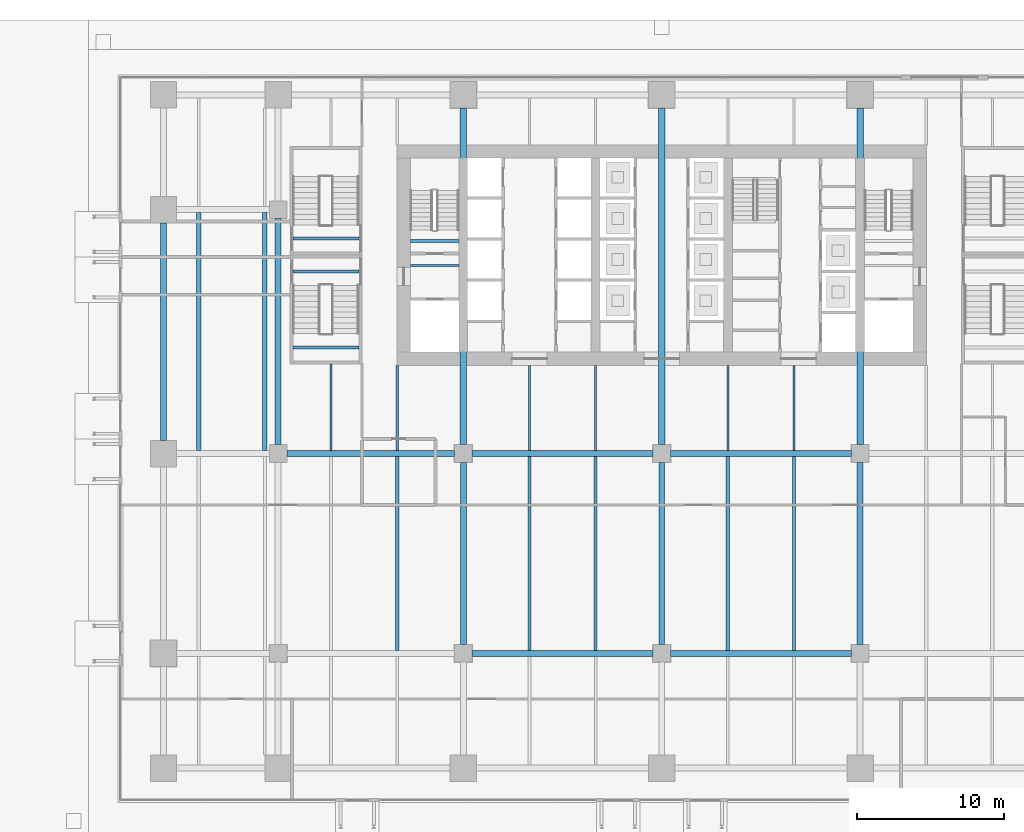
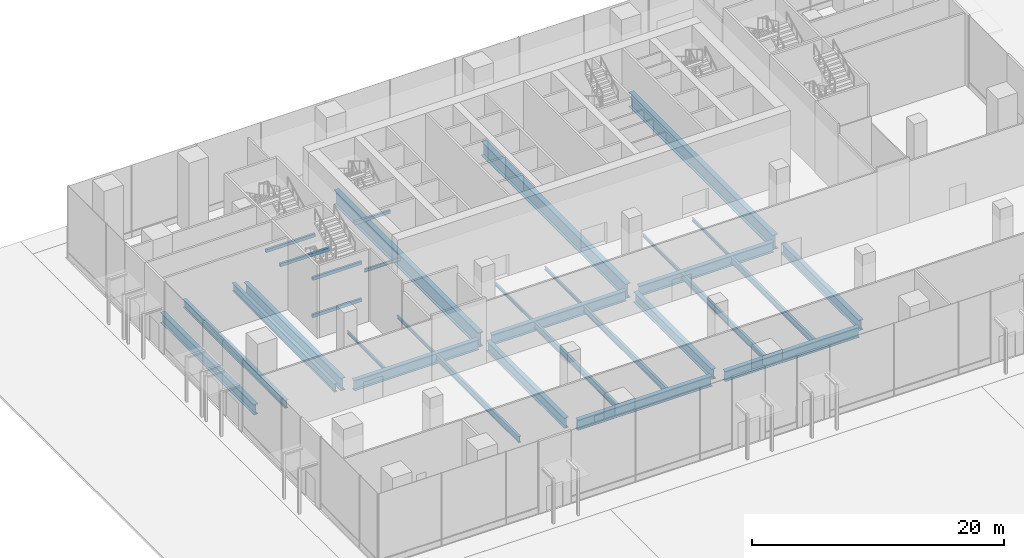
# One storey, part 17 of 41: 32 beams.
"""IFC4 building model written with IfcOpenShell, lengths in metres."""

import ifcopenshell
import ifcopenshell.guid

model = None  # the IFC model being written
_history = None  # IfcOwnerHistory: only IFC2X3 demands one
_inside = {}  # id of a spatial element -> (the spatial element, [elements in it])
_under = {}  # id of a project, library or spatial element -> (it, [spatial elements below it])
_declared = {}  # id of a project -> (the project, [libraries it declares])
_typed = {}  # id of a type object -> (the type object, [elements of that type])
_made_of = {}  # id of a material, layer set ... -> (it, [elements and type objects made of it])


def new_model(schema):
    """Start an empty IFC model of exactly this schema.

    Asked for "IFC4X3", IfcOpenShell would pick the latest addendum, in which some entities
    have other attributes; the version numbers below select the first issue.
    IFC2X3 requires an IfcOwnerHistory on every rooted entity: one is made here for all.
    """
    global model, _history
    if schema == "IFC4X3":
        model = ifcopenshell.file(schema_version=(4, 3, 0, 0))
    else:
        model = ifcopenshell.file(schema=schema)
    _inside.clear()
    _under.clear()
    _declared.clear()
    _typed.clear()
    _made_of.clear()
    _history = None
    if model.schema == "IFC2X3":
        org = make("IfcOrganization", Name="unknown")
        user = make(
            "IfcPersonAndOrganization",
            ThePerson=make("IfcPerson", FamilyName="unknown"),
            TheOrganization=org,
        )
        app = make(
            "IfcApplication",
            ApplicationDeveloper=org,
            Version="unknown",
            ApplicationFullName="unknown",
            ApplicationIdentifier="unknown",
        )
        _history = make(
            "IfcOwnerHistory",
            OwningUser=user,
            OwningApplication=app,
            ChangeAction="ADDED",
            CreationDate=0,
        )
    return model


def make(cls, **values):
    """One entity of the class cls with the attributes given. An attribute that is None is left unset."""
    return model.create_entity(
        cls, **{name: value for name, value in values.items() if value is not None}
    )


def rooted(cls, **values):
    """An entity with a GlobalId (a new one), such as an element, a storey or a relation."""
    return make(cls, GlobalId=ifcopenshell.guid.new(), OwnerHistory=_history, **values)


def si_unit(unit_type, name, prefix=None):
    """IfcSIUnit, for example si_unit("LENGTHUNIT", "METRE", prefix="MILLI")."""
    return make("IfcSIUnit", UnitType=unit_type, Prefix=prefix, Name=name)


def assignment(units):
    """IfcUnitAssignment: the units of a project."""
    return None if units is None else make("IfcUnitAssignment", Units=units)


def point(xyz):
    """IfcCartesianPoint."""
    return None if xyz is None else make("IfcCartesianPoint", Coordinates=xyz)


def direction(xyz):
    """IfcDirection."""
    return None if xyz is None else make("IfcDirection", DirectionRatios=xyz)


def frame(location, z_axis=None, x_axis=None):
    """IfcAxis2Placement3D, a coordinate frame: its origin and axes. An axis left out is left unset."""
    return make(
        "IfcAxis2Placement3D",
        Location=point(location),
        Axis=direction(z_axis),
        RefDirection=direction(x_axis),
    )


def frame_2d(location, x_axis=None):
    """IfcAxis2Placement2D, a coordinate frame in the plane: its origin and x axis."""
    return make(
        "IfcAxis2Placement2D", Location=point(location), RefDirection=direction(x_axis)
    )


def origin():
    """The frame at (0, 0, 0) with its axes left unset."""
    return frame((0.0, 0.0, 0.0))


def origin_2d():
    """The frame at (0, 0) in the plane with its x axis left unset."""
    return frame_2d((0.0, 0.0))


def place(relative_to, where):
    """IfcLocalPlacement: puts the frame where relative to a parent placement (None: the world)."""
    return make(
        "IfcLocalPlacement", PlacementRelTo=relative_to, RelativePlacement=where
    )


def context(
    kind, dimensions, precision=None, world=None, true_north=None, identifier=None
):
    """IfcGeometricRepresentationContext, for example the 3D "Model" context."""
    return make(
        "IfcGeometricRepresentationContext",
        ContextIdentifier=identifier,
        ContextType=kind,
        CoordinateSpaceDimension=dimensions,
        Precision=precision,
        WorldCoordinateSystem=world,
        TrueNorth=true_north,
    )


def subcontext(parent, identifier, kind, view, scale=None):
    """IfcGeometricRepresentationSubContext, for example "Body" below "Model"."""
    return make(
        "IfcGeometricRepresentationSubContext",
        ContextIdentifier=identifier,
        ContextType=kind,
        ParentContext=parent,
        TargetScale=scale,
        TargetView=view,
    )


def project(units=None, contexts=None):
    """IfcProject with its units and contexts."""
    return rooted(
        "IfcProject",
        Name="project",
        RepresentationContexts=contexts,
        UnitsInContext=assignment(units),
    )


def spatial(cls, under=None, at=None, **own):
    """A site, building, storey or space (cls), placed at a placement, below another one or the project."""
    s = rooted(cls, ObjectPlacement=at, **own)
    if under is not None:
        _under.setdefault(under.id(), (under, []))[1].append(s)
    return s


def profile(cls, at=None, kind="AREA", **sizes):
    """A parametric profile (cls). Its sizes go by their IFC names, for example OverallWidth=200.0."""
    return make(cls, ProfileType=kind, Position=at, **sizes)


def rectangle(**sizes):
    """IfcRectangleProfileDef."""
    return profile("IfcRectangleProfileDef", **sizes)


def i_section(**sizes):
    """IfcIShapeProfileDef."""
    return profile("IfcIShapeProfileDef", **sizes)


def extrude(swept, where, along, depth):
    """IfcExtrudedAreaSolid: the profile swept, set in the frame where, extruded along a direction by depth."""
    return make(
        "IfcExtrudedAreaSolid",
        SweptArea=swept,
        Position=where,
        ExtrudedDirection=direction(along),
        Depth=depth,
    )


def shape(context_of_items, identifier, shape_type, items):
    """IfcShapeRepresentation: the items that make up one representation, for example the "Body"."""
    return make(
        "IfcShapeRepresentation",
        ContextOfItems=context_of_items,
        RepresentationIdentifier=identifier,
        RepresentationType=shape_type,
        Items=items,
    )


def material(Name=None, Category=None):
    """IfcMaterial."""
    return make("IfcMaterial", Name=Name, Category=Category)


def material_profile(
    of_material, cross_section, Name=None, Category=None, Priority=None
):
    """IfcMaterialProfile: a cross section and its material."""
    return make(
        "IfcMaterialProfile",
        Name=Name,
        Material=of_material,
        Profile=cross_section,
        Priority=Priority,
        Category=Category,
    )


def profile_set(profiles, Name=None, composite=None):
    """IfcMaterialProfileSet."""
    return make(
        "IfcMaterialProfileSet",
        Name=Name,
        MaterialProfiles=profiles,
        CompositeProfile=composite,
    )


def made_of(thing, what):
    """Note that an element or type object is made of a material, layer set ...; save() writes the relation."""
    if what is not None:
        _made_of.setdefault(what.id(), (what, []))[1].append(thing)
    return thing


def type_object(cls, material=None, **own):
    """A type object (cls), such as IfcWallType, which elements share."""
    return made_of(rooted(cls, **own), material)


def element(
    cls,
    number,
    at=None,
    inside=None,
    cuts=None,
    type_object=None,
    material=None,
    context=None,
    identifier="Body",
    shape_type=None,
    held_by="IfcProductDefinitionShape",
    body=None,
    shapes=None,
    **own,
):
    """One element of the class cls, such as IfcWall. Its Tag is "e" and its number.

    at: its placement. inside: the storey or other place that contains it. cuts: it is an
    opening in that element (IfcRelVoidsElement). A single representation is given by context,
    identifier, shape_type and body (its items); several are given by shapes. held_by: the class
    of the entity that holds the representations. save() writes the other relations.
    """
    e = rooted(cls, Tag="e%d" % number, ObjectPlacement=at, **own)
    if body is not None:
        shapes = [shape(context, identifier, shape_type, body)]
    if shapes is not None:
        e.Representation = make(held_by, Representations=shapes)
    if inside is not None:
        _inside.setdefault(inside.id(), (inside, []))[1].append(e)
    if cuts is not None:
        rooted(
            "IfcRelVoidsElement", RelatingBuildingElement=cuts, RelatedOpeningElement=e
        )
    if type_object is not None:
        _typed.setdefault(type_object.id(), (type_object, []))[1].append(e)
    return made_of(e, material)


def aggregate(whole, parts):
    """IfcRelAggregates: a whole, such as a stair, and the parts it consists of."""
    return rooted("IfcRelAggregates", RelatingObject=whole, RelatedObjects=parts)


def save(model, path):
    """Write the relations noted so far, then the file.

    IfcRelAggregates (storeys below a building ...), IfcRelContainedInSpatialStructure (elements
    in a storey), IfcRelDefinesByType, IfcRelAssociatesMaterial and IfcRelDeclares: one each for
    every whole, place, type object, material and project.
    """
    for whole, parts in _under.values():
        aggregate(whole, parts)
    for where, things in _inside.values():
        rooted(
            "IfcRelContainedInSpatialStructure",
            RelatedElements=things,
            RelatingStructure=where,
        )
    for kind, things in _typed.values():
        rooted("IfcRelDefinesByType", RelatedObjects=things, RelatingType=kind)
    for what, things in _made_of.values():
        rooted("IfcRelAssociatesMaterial", RelatedObjects=things, RelatingMaterial=what)
    for by, libraries in _declared.values():
        rooted("IfcRelDeclares", RelatingContext=by, RelatedDefinitions=libraries)
    model.write(path)


model = new_model("IFC4")

# Units and contexts
model_context = context("Model", 3, precision=1e-05, world=origin(), true_north=direction((0.0, 1.0)))
body_context = subcontext(model_context, "Body", "Model", "MODEL_VIEW")
ifc_project = project(units=[si_unit("LENGTHUNIT", "METRE"), si_unit("AREAUNIT", "SQUARE_METRE"), si_unit("VOLUMEUNIT", "CUBIC_METRE"), si_unit("PLANEANGLEUNIT", "RADIAN"), si_unit("MASSUNIT", "GRAM", prefix="KILO")], contexts=[model_context])

# Site, building, storey
site_placement = place(None, origin())
site = spatial("IfcSite", under=ifc_project, at=site_placement, CompositionType="ELEMENT")
building_placement = place(site_placement, origin())
building = spatial("IfcBuilding", under=site, at=building_placement, Name="Rattan Terrace Tower", CompositionType="ELEMENT")
storey_placement = place(building_placement, origin())
storey = spatial("IfcBuildingStorey", under=building, at=storey_placement, Name="L00", CompositionType="ELEMENT", Elevation=0.0)

# Beams
ifc_material_1 = material(Name="Concrete C40/50", Category="concrete")
ifc_material_profile_1 = material_profile(ifc_material_1, rectangle(XDim=0.199951171875, YDim=0.300048828125, at=origin_2d()), Name="RC 200x300")
ifc_profile_set_1 = profile_set([ifc_material_profile_1], Name="Concrete C40/50")
beam_type_1 = type_object("IfcBeamType", Name="Core landing beam RC 200x300", PredefinedType="BEAM", material=ifc_profile_set_1)
beam_1_placement = place(storey_placement, frame((-17.10009765625, 0.949951171875, 3.25), z_axis=(1.0, 0.0, 0.0), x_axis=(0.0, 1.0, 0.0)))
element("IfcBeam", 1, at=beam_1_placement, inside=storey, type_object=beam_type_1, Name="st-S1-L00 landing 2 edge beam", PredefinedType="BEAM", context=body_context, shape_type="SweptSolid", body=[
    extrude(rectangle(XDim=0.199951171875, YDim=0.300048828125, at=origin_2d()), origin(), (0.0, 0.0, 1.0), 3.300048828125),
])
for number, where, z_axis, x_axis, name in (
    (2, (-25.10009765625, -6.27197265625, 1.449951171875), (1.0, 0.0, 0.0), (0.0, 1.0, 0.0), "st-S4-L00 landing 1 edge beam"),
    (3, (-25.10009765625, -1.125, 3.25), (1.0, 0.0, 0.0), (0.0, 1.0, 0.0), "st-S4-L00 landing 2 edge beam"),
    (4, (-25.10009765625, -6.27197265625, 5.050048828125), (1.0, 0.0, 0.0), (0.0, 1.0, 0.0), "st-S4-L00 landing 3 edge beam"),
    (5, (-25.10009765625, 1.125, 3.25), (1.0, 0.0, 0.0), (0.0, 1.0, 0.0), "st-S5-L00 landing 2 edge beam"),
):
    element("IfcBeam", number, at=place(storey_placement, frame(where, z_axis=z_axis, x_axis=x_axis)), inside=storey, type_object=beam_type_1, Name=name, PredefinedType="BEAM", context=body_context, shape_type="SweptSolid", body=[
        extrude(rectangle(XDim=0.199951171875, YDim=0.300048828125, at=origin_2d()), origin(), (0.0, 0.0, 1.0), 4.5),
    ])
ifc_material_2 = material(Name="Steel S355", Category="steel")
ifc_material_profile_2 = material_profile(ifc_material_2, i_section(OverallWidth=0.300048828125, OverallDepth=0.800048828125, WebThickness=0.017578125, FlangeThickness=0.032958984375, FilletRadius=0.030029296875, at=origin_2d()), Name="HE 800 B")
ifc_profile_set_2 = profile_set([ifc_material_profile_2], Name="Steel S355")
beam_type_2 = type_object("IfcBeamType", Name="Frame floor beam HE 800 B", PredefinedType="JOIST", material=ifc_profile_set_2)
for number, where, z_axis, x_axis, name in (
    (6, (-31.5, -13.300048828125, -0.60009765625), (0.0, 1.0, 0.0), (-1.0, 0.0, 0.0), "bm-L00-027"),
    (7, (-27.0, -13.300048828125, -0.60009765625), (0.0, 1.0, 0.0), (-1.0, 0.0, 0.0), "bm-L00-028"),
):
    element("IfcBeam", number, at=place(storey_placement, frame(where, z_axis=z_axis, x_axis=x_axis)), inside=storey, type_object=beam_type_2, Name=name, PredefinedType="JOIST", context=body_context, shape_type="SweptSolid", body=[
        extrude(i_section(OverallWidth=0.300048828125, OverallDepth=0.800048828125, WebThickness=0.017578125, FlangeThickness=0.032958984375, FilletRadius=0.030029296875, at=origin_2d()), origin(), (0.0, 0.0, 1.0), 16.199951171875),
    ])
ifc_material_3 = material(Name="Steel S355", Category="steel")
ifc_material_profile_3 = material_profile(ifc_material_3, i_section(OverallWidth=0.14990234375, OverallDepth=0.300048828125, WebThickness=0.007080078125, FlangeThickness=0.0107421875, FilletRadius=0.014892578125, at=origin_2d()), Name="IPE 300")
ifc_profile_set_3 = profile_set([ifc_material_profile_3], Name="Steel S355")
beam_type_3 = type_object("IfcBeamType", Name="Frame floor beam IPE 300", PredefinedType="JOIST", material=ifc_profile_set_3)
beam_2_placement = place(storey_placement, frame((-17.10009765625, -0.695068359375, -0.35009765625), z_axis=(1.0, 0.0, 0.0), x_axis=(0.0, 1.0, 0.0)))
element("IfcBeam", 8, at=beam_2_placement, inside=storey, type_object=beam_type_3, Name="bm-L00-001", PredefinedType="JOIST", context=body_context, shape_type="SweptSolid", body=[
    extrude(i_section(OverallWidth=0.14990234375, OverallDepth=0.300048828125, WebThickness=0.007080078125, FlangeThickness=0.0107421875, FilletRadius=0.014892578125, at=origin_2d()), origin(), (0.0, 0.0, 1.0), 3.300048828125),
])
beam_3_placement = place(storey_placement, frame((-22.5, -13.300048828125, -0.35009765625), z_axis=(0.0, 1.0, 0.0), x_axis=(-1.0, 0.0, 0.0)))
element("IfcBeam", 9, at=beam_3_placement, inside=storey, type_object=beam_type_3, Name="bm-L00-029", PredefinedType="JOIST", context=body_context, shape_type="SweptSolid", body=[
    extrude(i_section(OverallWidth=0.14990234375, OverallDepth=0.300048828125, WebThickness=0.007080078125, FlangeThickness=0.0107421875, FilletRadius=0.014892578125, at=origin_2d()), origin(), (0.0, 0.0, 1.0), 5.900146484375),
])
for number, where, z_axis, x_axis, name in (
    (10, (-18.0, -13.300048828125, -0.35009765625), (0.0, 1.0, 0.0), (-1.0, 0.0, 0.0), "bm-L00-030"),
    (11, (-9.0, -13.300048828125, -0.35009765625), (0.0, 1.0, 0.0), (-1.0, 0.0, 0.0), "bm-L00-031"),
    (12, (-4.5, -13.300048828125, -0.35009765625), (0.0, 1.0, 0.0), (-1.0, 0.0, 0.0), "bm-L00-032"),
    (13, (4.5, -13.300048828125, -0.35009765625), (0.0, 1.0, 0.0), (-1.0, 0.0, 0.0), "bm-L00-033"),
    (14, (9.0, -13.300048828125, -0.35009765625), (0.0, 1.0, 0.0), (-1.0, 0.0, 0.0), "bm-L00-034"),
):
    element("IfcBeam", number, at=place(storey_placement, frame(where, z_axis=z_axis, x_axis=x_axis)), inside=storey, type_object=beam_type_3, Name=name, PredefinedType="JOIST", context=body_context, shape_type="SweptSolid", body=[
        extrude(i_section(OverallWidth=0.14990234375, OverallDepth=0.300048828125, WebThickness=0.007080078125, FlangeThickness=0.0107421875, FilletRadius=0.014892578125, at=origin_2d()), origin(), (0.0, 0.0, 1.0), 5.800048828125),
    ])
ifc_material_4 = material(Name="Steel S355", Category="steel")
ifc_material_profile_4 = material_profile(ifc_material_4, i_section(OverallWidth=0.22412109375, OverallDepth=0.610107421875, WebThickness=0.014892578125, FlangeThickness=0.02392578125, FilletRadius=0.02392578125, at=origin_2d()), Name="IPE O 600")
ifc_profile_set_4 = profile_set([ifc_material_profile_4], Name="Steel S355")
beam_type_4 = type_object("IfcBeamType", Name="Frame floor beam IPE O 600", PredefinedType="JOIST", material=ifc_profile_set_4)
for number, where, z_axis, x_axis, name in (
    (15, (-18.0, -26.89990234375, -0.5048828125), (0.0, 1.0, 0.0), (-1.0, 0.0, 0.0), "bm-L00-018"),
    (16, (-9.0, -26.89990234375, -0.5048828125), (0.0, 1.0, 0.0), (-1.0, 0.0, 0.0), "bm-L00-019"),
    (17, (-4.5, -26.89990234375, -0.5048828125), (0.0, 1.0, 0.0), (-1.0, 0.0, 0.0), "bm-L00-020"),
    (18, (4.5, -26.89990234375, -0.5048828125), (0.0, 1.0, 0.0), (-1.0, 0.0, 0.0), "bm-L00-021"),
    (19, (9.0, -26.89990234375, -0.5048828125), (0.0, 1.0, 0.0), (-1.0, 0.0, 0.0), "bm-L00-022"),
):
    element("IfcBeam", number, at=place(storey_placement, frame(where, z_axis=z_axis, x_axis=x_axis)), inside=storey, type_object=beam_type_4, Name=name, PredefinedType="JOIST", context=body_context, shape_type="SweptSolid", body=[
        extrude(i_section(OverallWidth=0.22412109375, OverallDepth=0.610107421875, WebThickness=0.014892578125, FlangeThickness=0.02392578125, FilletRadius=0.02392578125, at=origin_2d()), origin(), (0.0, 0.0, 1.0), 13.199951171875),
    ])
ifc_material_5 = material(Name="Steel S460", Category="steel")
ifc_material_profile_5 = material_profile(ifc_material_5, i_section(OverallWidth=0.39990234375, OverallDepth=1.0, WebThickness=0.01806640625, FlangeThickness=0.044921875, at=origin_2d()), Name="PG 1000x400-18-45")
ifc_profile_set_5 = profile_set([ifc_material_profile_5], Name="Steel S460")
beam_type_5 = type_object("IfcBeamType", Name="Frame podium girder PG 1000x400-18-45", PredefinedType="USERDEFINED", material=ifc_profile_set_5)
for number, where, z_axis, x_axis, name in (
    (20, (-12.89990234375, -27.10009765625, -0.699951171875), (1.0, 0.0, 0.0), (0.0, 1.0, 0.0), "gdr-L00-016"),
    (21, (0.60009765625, -27.10009765625, -0.699951171875), (1.0, 0.0, 0.0), (0.0, 1.0, 0.0), "gdr-L00-017"),
):
    element("IfcBeam", number, at=place(storey_placement, frame(where, z_axis=z_axis, x_axis=x_axis)), inside=storey, type_object=beam_type_5, Name=name, ObjectType="PODIUM GIRDER", PredefinedType="USERDEFINED", context=body_context, shape_type="SweptSolid", body=[
        extrude(i_section(OverallWidth=0.39990234375, OverallDepth=1.0, WebThickness=0.01806640625, FlangeThickness=0.044921875, at=origin_2d()), origin(), (0.0, 0.0, 1.0), 12.2998046875),
    ])
for number, where, z_axis, x_axis, name in (
    (22, (-13.5, -26.5, -0.699951171875), (0.0, 1.0, 0.0), (-1.0, 0.0, 0.0), "gdr-L00-021"),
    (23, (0.0, -26.5, -0.699951171875), (0.0, 1.0, 0.0), (-1.0, 0.0, 0.0), "gdr-L00-022"),
    (24, (13.5, -26.5, -0.699951171875), (0.0, 1.0, 0.0), (-1.0, 0.0, 0.0), "gdr-L00-023"),
):
    element("IfcBeam", number, at=place(storey_placement, frame(where, z_axis=z_axis, x_axis=x_axis)), inside=storey, type_object=beam_type_5, Name=name, ObjectType="PODIUM GIRDER", PredefinedType="USERDEFINED", context=body_context, shape_type="SweptSolid", body=[
        extrude(i_section(OverallWidth=0.39990234375, OverallDepth=1.0, WebThickness=0.01806640625, FlangeThickness=0.044921875, at=origin_2d()), origin(), (0.0, 0.0, 1.0), 12.39990234375),
    ])
beam_4_placement = place(storey_placement, frame((-25.5, -13.5, -0.699951171875), z_axis=(1.0, 0.0, 0.0), x_axis=(0.0, 1.0, 0.0)))
element("IfcBeam", 25, at=beam_4_placement, inside=storey, type_object=beam_type_5, Name="gdr-L00-028", ObjectType="PODIUM GIRDER", PredefinedType="USERDEFINED", context=body_context, shape_type="SweptSolid", body=[
    extrude(i_section(OverallWidth=0.39990234375, OverallDepth=1.0, WebThickness=0.01806640625, FlangeThickness=0.044921875, at=origin_2d()), origin(), (0.0, 0.0, 1.0), 11.39990234375),
])
for number, where, z_axis, x_axis, name in (
    (26, (-12.89990234375, -13.5, -0.699951171875), (1.0, 0.0, 0.0), (0.0, 1.0, 0.0), "gdr-L00-029"),
    (27, (0.60009765625, -13.5, -0.699951171875), (1.0, 0.0, 0.0), (0.0, 1.0, 0.0), "gdr-L00-030"),
):
    element("IfcBeam", number, at=place(storey_placement, frame(where, z_axis=z_axis, x_axis=x_axis)), inside=storey, type_object=beam_type_5, Name=name, ObjectType="PODIUM GIRDER", PredefinedType="USERDEFINED", context=body_context, shape_type="SweptSolid", body=[
        extrude(i_section(OverallWidth=0.39990234375, OverallDepth=1.0, WebThickness=0.01806640625, FlangeThickness=0.044921875, at=origin_2d()), origin(), (0.0, 0.0, 1.0), 12.2998046875),
    ])
beam_5_placement = place(storey_placement, frame((-33.89990234375, -12.60009765625, -0.699951171875), z_axis=(0.0, 1.0, 0.0), x_axis=(-1.0, 0.0, 0.0)))
element("IfcBeam", 28, at=beam_5_placement, inside=storey, type_object=beam_type_5, Name="gdr-L00-038", ObjectType="PODIUM GIRDER", PredefinedType="USERDEFINED", context=body_context, shape_type="SweptSolid", body=[
    extrude(i_section(OverallWidth=0.39990234375, OverallDepth=1.0, WebThickness=0.01806640625, FlangeThickness=0.044921875, at=origin_2d()), origin(), (0.0, 0.0, 1.0), 14.800048828125),
])
ifc_material_6 = material(Name="Steel S460", Category="steel")
ifc_material_profile_6 = material_profile(ifc_material_6, i_section(OverallWidth=0.39990234375, OverallDepth=1.199951171875, WebThickness=0.02001953125, FlangeThickness=0.050048828125, at=origin_2d()), Name="PG 1200x400-20-50")
ifc_profile_set_6 = profile_set([ifc_material_profile_6], Name="Steel S460")
beam_type_6 = type_object("IfcBeamType", Name="Frame podium girder PG 1200x400-20-50", PredefinedType="USERDEFINED", material=ifc_profile_set_6)
beam_6_placement = place(storey_placement, frame((-26.10009765625, -12.89990234375, -0.800048828125), z_axis=(0.0, 1.0, 0.0), x_axis=(-1.0, 0.0, 0.0)))
element("IfcBeam", 29, at=beam_6_placement, inside=storey, type_object=beam_type_6, Name="gdr-L00-033", ObjectType="PODIUM GIRDER", PredefinedType="USERDEFINED", context=body_context, shape_type="SweptSolid", body=[
    extrude(i_section(OverallWidth=0.39990234375, OverallDepth=1.199951171875, WebThickness=0.02001953125, FlangeThickness=0.050048828125, at=origin_2d()), origin(), (0.0, 0.0, 1.0), 15.39990234375),
])
ifc_material_7 = material(Name="Steel S460", Category="steel")
ifc_material_profile_7 = material_profile(ifc_material_7, i_section(OverallWidth=0.449951171875, OverallDepth=1.39990234375, WebThickness=0.02197265625, FlangeThickness=0.054931640625, at=origin_2d()), Name="PG 1400x450-22-55")
ifc_profile_set_7 = profile_set([ifc_material_profile_7], Name="Steel S460")
beam_type_7 = type_object("IfcBeamType", Name="Frame podium girder PG 1400x450-22-55", PredefinedType="USERDEFINED", material=ifc_profile_set_7)
for number, where, z_axis, x_axis, name in (
    (30, (-13.5, -12.89990234375, -0.89990234375), (0.0, 1.0, 0.0), (-1.0, 0.0, 0.0), "gdr-L00-034"),
    (31, (0.0, -12.89990234375, -0.89990234375), (0.0, 1.0, 0.0), (-1.0, 0.0, 0.0), "gdr-L00-035"),
    (32, (13.5, -12.89990234375, -0.89990234375), (0.0, 1.0, 0.0), (-1.0, 0.0, 0.0), "gdr-L00-036"),
):
    element("IfcBeam", number, at=place(storey_placement, frame(where, z_axis=z_axis, x_axis=x_axis)), inside=storey, type_object=beam_type_7, Name=name, ObjectType="PODIUM GIRDER", PredefinedType="USERDEFINED", context=body_context, shape_type="SweptSolid", body=[
        extrude(i_section(OverallWidth=0.449951171875, OverallDepth=1.39990234375, WebThickness=0.02197265625, FlangeThickness=0.054931640625, at=origin_2d()), origin(), (0.0, 0.0, 1.0), 22.89990234375),
    ])

save(model, "model.ifc")
